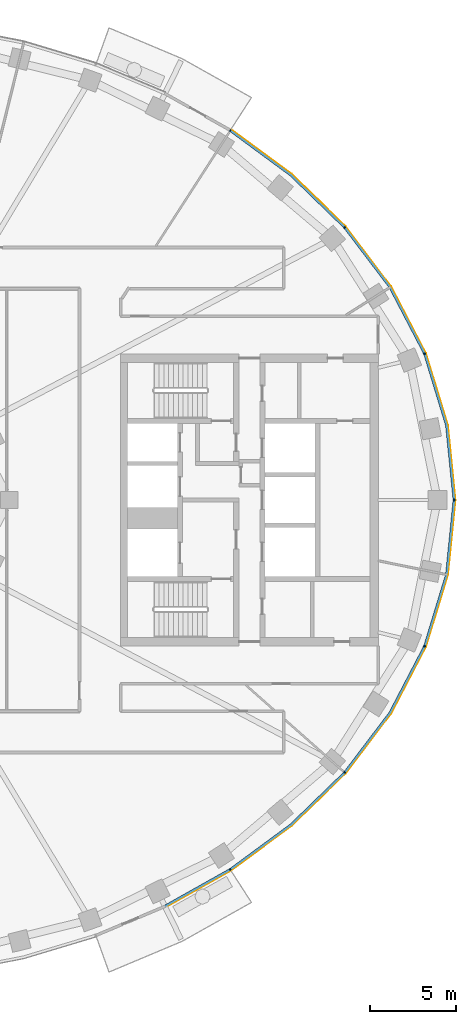
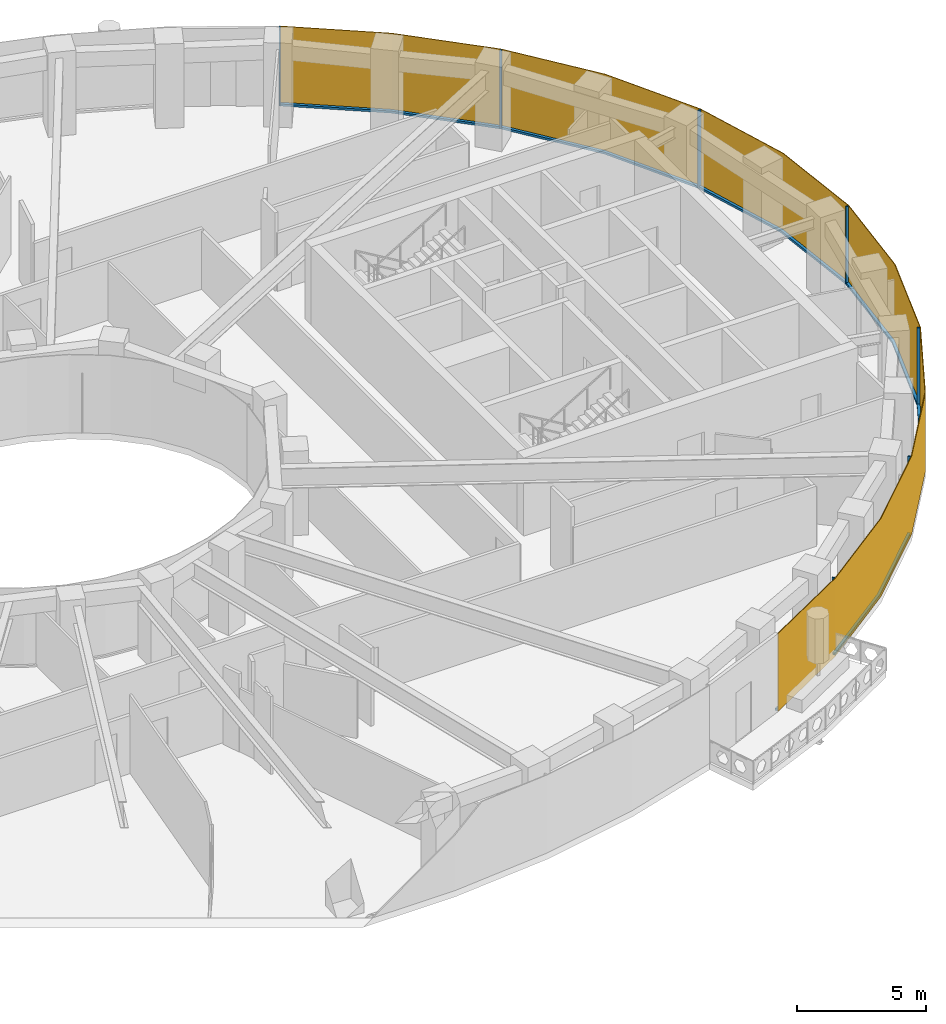
# One storey, part 11 of 15: 14 members, 1 curtain wall.
"""IFC4 building model written with IfcOpenShell, lengths in metres."""

from ifc_helpers import new_model, si_unit, direction, frame, origin, origin_2d, place, context, subcontext, project, spatial, polyline, rectangle, outline, extrude, material, layer, layer_set, material_profile, profile_set, type_object, element, aggregate, save


model = new_model("IFC4")

# Units and contexts
model_context = context("Model", 3, precision=1e-05, world=origin(), true_north=direction((0.0, 1.0)))
body_context = subcontext(model_context, "Body", "Model", "MODEL_VIEW")
ifc_project = project(units=[si_unit("LENGTHUNIT", "METRE"), si_unit("AREAUNIT", "SQUARE_METRE"), si_unit("VOLUMEUNIT", "CUBIC_METRE"), si_unit("PLANEANGLEUNIT", "RADIAN"), si_unit("MASSUNIT", "GRAM", prefix="KILO")], contexts=[model_context])

# Member
ifc_material_1 = material(Name="Aluminium 6063-T6 black anodised", Category="aluminium")
ifc_material_profile = material_profile(ifc_material_1, rectangle(XDim=0.1201171875, YDim=0.06005859375, at=origin_2d()), Name="120x60")
ifc_profile_set = profile_set([ifc_material_profile], Name="Aluminium 6063-T6 black anodised")
member_type_1 = type_object("IfcMemberType", Name="ENV-MULLION-A-120", PredefinedType="MULLION", material=ifc_profile_set)
site_placement = place(None, origin())
building_placement = place(site_placement, origin())
storey_placement = place(building_placement, frame((0.0, 0.0, 253.5)))
member_1_placement = place(storey_placement, frame((22.882568359375, -21.506591796875, 0.0), z_axis=(0.0, 0.0, 1.0), x_axis=(-0.542279153225, 0.840198381323, 0.0)))
member_1 = element("IfcMember", 1, at=member_1_placement, type_object=member_type_1, Name="Mullion A radial 41", PredefinedType="MULLION", context=body_context, shape_type="SweptSolid", body=[
    extrude(rectangle(XDim=0.1201171875, YDim=0.06005859375, at=origin_2d()), origin(), (0.0, 0.0, 1.0), 3.699951171875),
])

member_2_placement = place(storey_placement, frame((29.53857421875, -15.8671875, 0.0), z_axis=(0.0, 0.0, 1.0), x_axis=(-0.749047221705, 0.662516610853, 0.0)))
member_2 = element("IfcMember", 2, at=member_2_placement, type_object=member_type_1, Name="Mullion A radial 43", PredefinedType="MULLION", context=body_context, shape_type="SweptSolid", body=[
    extrude(rectangle(XDim=0.1201171875, YDim=0.06005859375, at=origin_2d()), origin(), (0.0, 0.0, 1.0), 3.699951171875),
])

member_3_placement = place(storey_placement, frame((34.19580078125, -8.513916015625, 0.0), z_axis=(0.0, 0.0, 1.0), x_axis=(-0.92546738067, 0.378827305398, 0.0)))
member_3 = element("IfcMember", 3, at=member_3_placement, type_object=member_type_1, Name="Mullion A radial 45", PredefinedType="MULLION", context=body_context, shape_type="SweptSolid", body=[
    extrude(rectangle(XDim=0.1201171875, YDim=0.06005859375, at=origin_2d()), origin(), (0.0, 0.0, 1.0), 3.699951171875),
])

member_4_placement = place(storey_placement, frame((35.907958984375, 0.0, 0.0), z_axis=(0.0, 0.0, 1.0), x_axis=(-1.0, 0.0, 0.0)))
member_4 = element("IfcMember", 4, at=member_4_placement, type_object=member_type_1, Name="Mullion A radial 01", PredefinedType="MULLION", context=body_context, shape_type="SweptSolid", body=[
    extrude(rectangle(XDim=0.1201171875, YDim=0.06005859375, at=origin_2d()), origin(), (0.0, 0.0, 1.0), 3.699951171875),
])

member_5_placement = place(storey_placement, frame((34.19580078125, 8.513916015625, 0.0), z_axis=(0.0, 0.0, 1.0), x_axis=(-0.92546738067, -0.378827305398, 0.0)))
member_5 = element("IfcMember", 5, at=member_5_placement, type_object=member_type_1, Name="Mullion A radial 03", PredefinedType="MULLION", context=body_context, shape_type="SweptSolid", body=[
    extrude(rectangle(XDim=0.1201171875, YDim=0.06005859375, at=origin_2d()), origin(), (0.0, 0.0, 1.0), 3.699951171875),
])

member_6_placement = place(storey_placement, frame((29.53857421875, 15.8671875, 0.0), z_axis=(0.0, 0.0, 1.0), x_axis=(-0.749047221705, -0.662516610853, 0.0)))
member_6 = element("IfcMember", 6, at=member_6_placement, type_object=member_type_1, Name="Mullion A radial 05", PredefinedType="MULLION", context=body_context, shape_type="SweptSolid", body=[
    extrude(rectangle(XDim=0.1201171875, YDim=0.06005859375, at=origin_2d()), origin(), (0.0, 0.0, 1.0), 3.699951171875),
])

member_7_placement = place(storey_placement, frame((22.882568359375, 21.506591796875, 0.0), z_axis=(0.0, 0.0, 1.0), x_axis=(-0.542279153225, -0.840198381323, 0.0)))
member_7 = element("IfcMember", 7, at=member_7_placement, type_object=member_type_1, Name="Mullion A radial 07", PredefinedType="MULLION", context=body_context, shape_type="SweptSolid", body=[
    extrude(rectangle(XDim=0.1201171875, YDim=0.06005859375, at=origin_2d()), origin(), (0.0, 0.0, 1.0), 3.699951171875),
])

ifc_material_2 = material(Name="Aluminium 6063-T6 black anodised", Category="aluminium")
member_type_2 = type_object("IfcMemberType", Name="ENV-TRANSOM-A", PredefinedType="USERDEFINED", material=ifc_material_2)
member_8_placement = place(storey_placement, origin())
member_8 = element("IfcMember", 8, at=member_8_placement, type_object=member_type_2, Name="Transom A radial 40-41", ObjectType="TRANSOM", PredefinedType="USERDEFINED", context=body_context, shape_type="SweptSolid", body=[
    extrude(outline(polyline([(19.111572265625, -23.691650390625), (22.890625, -21.570556640625), (22.825439453125, -21.469482421875), (19.058837890625, -23.58349609375), (19.111572265625, -23.691650390625)])), origin(), (0.0, 0.0, 1.0), 0.10009765625),
])

member_9_placement = place(storey_placement, origin())
member_9 = element("IfcMember", 9, at=member_9_placement, type_object=member_type_2, Name="Transom A radial 41-43", ObjectType="TRANSOM", PredefinedType="USERDEFINED", context=body_context, shape_type="SweptSolid", body=[
    extrude(outline(polyline([(22.937744140625, -21.540283203125), (26.4423828125, -18.958740234375), (29.5634765625, -15.926513671875), (29.473388671875, -15.8466796875), (26.364501953125, -18.866943359375), (22.87255859375, -21.439208984375), (22.937744140625, -21.540283203125)])), origin(), (0.0, 0.0, 1.0), 0.10009765625),
])

member_10_placement = place(storey_placement, origin())
member_10 = element("IfcMember", 10, at=member_10_placement, type_object=member_type_2, Name="Transom A radial 43-45", ObjectType="TRANSOM", PredefinedType="USERDEFINED", context=body_context, shape_type="SweptSolid", body=[
    extrude(outline(polyline([(29.6005859375, -15.884521484375), (32.22802734375, -12.41748046875), (34.23828125, -8.5615234375), (34.126708984375, -8.515869140625), (32.126220703125, -12.35302734375), (29.51025390625, -15.8046875), (29.6005859375, -15.884521484375)])), origin(), (0.0, 0.0, 1.0), 0.10009765625),
])

member_11_placement = place(storey_placement, origin())
member_11 = element("IfcMember", 11, at=member_11_placement, type_object=member_type_2, Name="Transom A radial 45-01", ObjectType="TRANSOM", PredefinedType="USERDEFINED", context=body_context, shape_type="SweptSolid", body=[
    extrude(outline(polyline([(34.259521484375, -8.509765625), (35.529541015625, -4.352294921875), (35.965087890625, -0.02783203125), (35.844482421875, -0.02783203125), (35.411376953125, -4.32861328125), (34.14794921875, -8.464111328125), (34.259521484375, -8.509765625)])), origin(), (0.0, 0.0, 1.0), 0.10009765625),
])

member_12_placement = place(storey_placement, origin())
member_12 = element("IfcMember", 12, at=member_12_placement, type_object=member_type_2, Name="Transom A radial 01-03", ObjectType="TRANSOM", PredefinedType="USERDEFINED", context=body_context, shape_type="SweptSolid", body=[
    extrude(outline(polyline([(35.965087890625, 0.02783203125), (35.529541015625, 4.352294921875), (34.259521484375, 8.509765625), (34.14794921875, 8.464111328125), (35.411376953125, 4.32861328125), (35.844482421875, 0.02783203125), (35.965087890625, 0.02783203125)])), origin(), (0.0, 0.0, 1.0), 0.10009765625),
])

member_13_placement = place(storey_placement, origin())
member_13 = element("IfcMember", 13, at=member_13_placement, type_object=member_type_2, Name="Transom A radial 03-05", ObjectType="TRANSOM", PredefinedType="USERDEFINED", context=body_context, shape_type="SweptSolid", body=[
    extrude(outline(polyline([(34.23828125, 8.5615234375), (32.22802734375, 12.41748046875), (29.6005859375, 15.884521484375), (29.51025390625, 15.8046875), (32.126220703125, 12.35302734375), (34.126708984375, 8.515869140625), (34.23828125, 8.5615234375)])), origin(), (0.0, 0.0, 1.0), 0.10009765625),
])

member_14_placement = place(storey_placement, origin())
member_14 = element("IfcMember", 14, at=member_14_placement, type_object=member_type_2, Name="Transom A radial 05-07", ObjectType="TRANSOM", PredefinedType="USERDEFINED", context=body_context, shape_type="SweptSolid", body=[
    extrude(outline(polyline([(29.5634765625, 15.926513671875), (26.4423828125, 18.958740234375), (22.937744140625, 21.540283203125), (22.87255859375, 21.439208984375), (26.364501953125, 18.866943359375), (29.473388671875, 15.8466796875), (29.5634765625, 15.926513671875)])), origin(), (0.0, 0.0, 1.0), 0.10009765625),
])

# Site, building, storey
site = spatial("IfcSite", under=ifc_project, at=site_placement, CompositionType="ELEMENT")
building = spatial("IfcBuilding", under=site, at=building_placement, Name="Noorbagh Ring Tower", CompositionType="ELEMENT")
storey = spatial("IfcBuildingStorey", under=building, at=storey_placement, Name="L53", CompositionType="ELEMENT", Elevation=253.5)

# Curtain wall
ifc_material_3 = material(Name="Glass dark tinted laminated", Category="glass")
ifc_layer = layer(ifc_material_3, 0.031982421875)
ifc_layer_set = layer_set([ifc_layer], Name="Glass dark tinted laminated")
curtain_wall_type = type_object("IfcCurtainWallType", Name="ENV-CW-A", PredefinedType="NOTDEFINED", material=ifc_layer_set)
curtain_wall_placement = place(storey_placement, origin())
curtain_wall = element("IfcCurtainWall", 15, at=curtain_wall_placement, inside=storey, type_object=curtain_wall_type, Name="Curtain wall A R40", PredefinedType="NOTDEFINED", context=body_context, shape_type="SweptSolid", body=[
    extrude(outline(polyline([(19.125732421875, -23.720458984375), (22.9326171875, -21.583740234375), (26.463134765625, -18.9833984375), (29.607666015625, -15.927978515625), (32.255126953125, -12.434814453125), (34.281005859375, -8.548828125), (35.561279296875, -4.358642578125), (36.0, 0.0), (35.561279296875, 4.358642578125), (34.281005859375, 8.548828125), (32.255126953125, 12.434814453125), (29.607666015625, 15.927978515625), (26.463134765625, 18.9833984375), (22.948486328125, 21.572021484375), (22.931396484375, 21.544921875), (26.4423828125, 18.958740234375), (29.58349609375, 15.906982421875), (32.22802734375, 12.41748046875), (34.251220703125, 8.53662109375), (35.529541015625, 4.352294921875), (35.9677734375, 0.0), (35.529541015625, -4.352294921875), (34.251220703125, -8.53662109375), (32.22802734375, -12.41748046875), (29.58349609375, -15.906982421875), (26.4423828125, -18.958740234375), (22.9150390625, -21.556884765625), (19.111572265625, -23.691650390625), (19.125732421875, -23.720458984375)])), origin(), (0.0, 0.0, 1.0), 3.699951171875),
])

aggregate(curtain_wall, [member_1, member_2, member_3, member_4, member_5, member_6, member_7, member_8, member_9, member_10, member_11, member_12, member_13, member_14])

save(model, "model.ifc")
